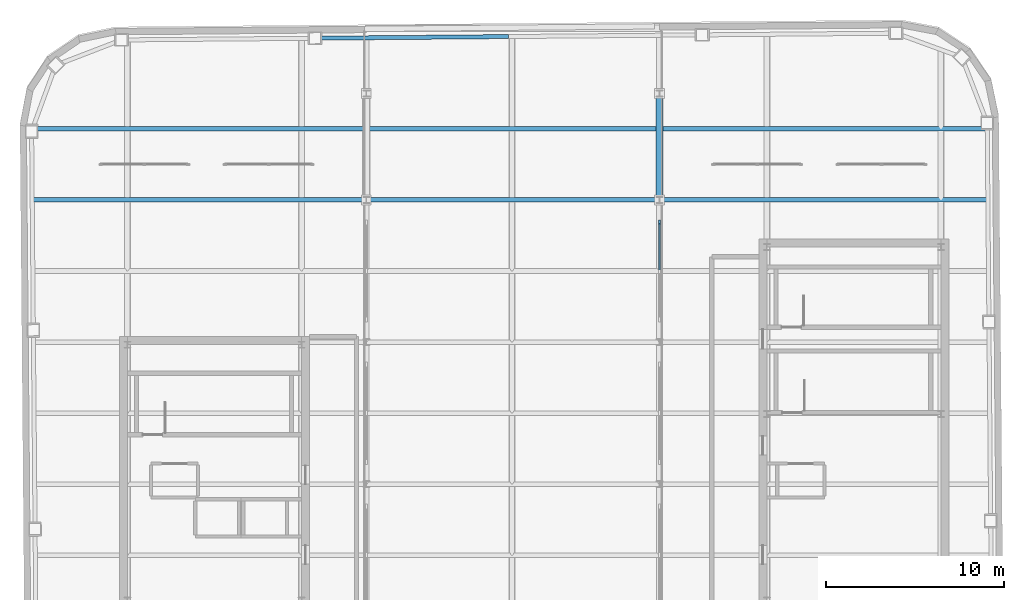
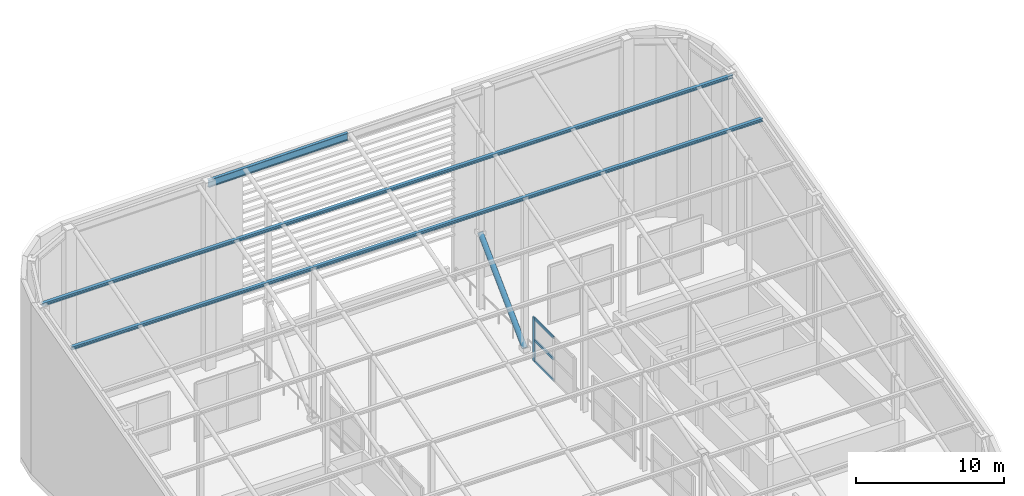
# One storey, part 12 of 17: 7 members, 1 beam, 1 element without a shape of its own.
"""IFC4 building model written with IfcOpenShell, lengths in metres."""

from ifc_helpers import new_model, si_unit, direction, frame, origin, origin_2d, place, context, subcontext, project, spatial, rectangle, hollow_circle, i_section, extrude, material, material_profile, profile_set, type_object, element, aggregate, save


model = new_model("IFC4")

# Units and contexts
model_context = context("Model", 3, precision=1e-05, world=origin(), true_north=direction((0.0, 1.0)))
body_context = subcontext(model_context, "Body", "Model", "MODEL_VIEW")
ifc_project = project(units=[si_unit("LENGTHUNIT", "METRE"), si_unit("AREAUNIT", "SQUARE_METRE"), si_unit("VOLUMEUNIT", "CUBIC_METRE"), si_unit("PLANEANGLEUNIT", "RADIAN"), si_unit("MASSUNIT", "GRAM", prefix="KILO")], contexts=[model_context])

# Site, building, storey
site_placement = place(None, origin())
site = spatial("IfcSite", under=ifc_project, at=site_placement, CompositionType="ELEMENT")
building_placement = place(site_placement, origin())
building = spatial("IfcBuilding", under=site, at=building_placement, Name="Kolvaren Arena Tower", CompositionType="ELEMENT")
storey_placement = place(building_placement, frame((0.0, 0.0, 322.0)))
storey = spatial("IfcBuildingStorey", under=building, at=storey_placement, Name="Roof Crown", CompositionType="ELEMENT", Elevation=322.0)

# Curtain wall, members
ifc_material_1 = material(Name="Anodised aluminium unitised curtain wall", Category="aluminium")
curtain_wall_type = type_object("IfcCurtainWallType", Name="CW-SYS-04", PredefinedType="USERDEFINED", material=ifc_material_1)
curtain_wall_placement = place(storey_placement, origin())
curtain_wall = element("IfcCurtainWall", 1, at=curtain_wall_placement, inside=storey, type_object=curtain_wall_type, Name="Wind-Portal Throat Acoustic Curtain Screen (Roof Crown)", ObjectType="ACOUSTIC LOUVRE SCREEN", PredefinedType="USERDEFINED")
ifc_material_2 = material(Name="Anodised aluminium 6063-T6", Category="aluminium")
ifc_material_profile_1 = material_profile(ifc_material_2, rectangle(XDim=0.1201171875, YDim=0.280029296875, at=origin_2d()), Name="ALU-120x280")
ifc_profile_set_1 = profile_set([ifc_material_profile_1], Name="Anodised aluminium 6063-T6")
member_type_1 = type_object("IfcMemberType", Name="CWM-PORT", PredefinedType="MULLION", material=ifc_profile_set_1)
member_1_placement = place(storey_placement, frame((44.5, 40.739990234375, 0.0), z_axis=(0.0, 0.0, 1.0), x_axis=(-1.0, 0.0, 0.0)))
member_1 = element("IfcMember", 2, at=member_1_placement, type_object=member_type_1, Name="CW4 mullion 3", PredefinedType="MULLION", context=body_context, shape_type="SweptSolid", body=[
    extrude(rectangle(XDim=0.1201171875, YDim=0.280029296875, at=origin_2d()), origin(), (0.0, 0.0, 1.0), 3.60009765625),
])
ifc_material_profile_2 = material_profile(ifc_material_2, rectangle(XDim=0.10009765625, YDim=0.199951171875, at=origin_2d()), Name="ALU-100x200")
ifc_profile_set_2 = profile_set([ifc_material_profile_2], Name="Anodised aluminium 6063-T6")
member_type_2 = type_object("IfcMemberType", Name="CWT-HVY", PredefinedType="USERDEFINED", material=ifc_profile_set_2)
member_2_placement = place(storey_placement, frame((44.5, 38.06005859375, 0.050048828125), z_axis=(0.0, 1.0, 0.0), x_axis=(-1.0, 0.0, 0.0)))
member_2 = element("IfcMember", 3, at=member_2_placement, type_object=member_type_2, Name="CW4 transom 2.1", ObjectType="TRANSOM", PredefinedType="USERDEFINED", context=body_context, shape_type="SweptSolid", body=[
    extrude(rectangle(XDim=0.10009765625, YDim=0.199951171875, at=origin_2d()), origin(), (0.0, 0.0, 1.0), 2.619873046875),
])
member_3_placement = place(storey_placement, frame((44.5, 38.06005859375, 1.800048828125), z_axis=(0.0, 1.0, 0.0), x_axis=(-1.0, 0.0, 0.0)))
member_3 = element("IfcMember", 4, at=member_3_placement, type_object=member_type_2, Name="CW4 transom 2.2", ObjectType="TRANSOM", PredefinedType="USERDEFINED", context=body_context, shape_type="SweptSolid", body=[
    extrude(rectangle(XDim=0.10009765625, YDim=0.199951171875, at=origin_2d()), origin(), (0.0, 0.0, 1.0), 2.619873046875),
])
member_4_placement = place(storey_placement, frame((44.5, 38.06005859375, 3.550048828125), z_axis=(0.0, 1.0, 0.0), x_axis=(-1.0, 0.0, 0.0)))
member_4 = element("IfcMember", 5, at=member_4_placement, type_object=member_type_2, Name="CW4 transom 2.3", ObjectType="TRANSOM", PredefinedType="USERDEFINED", context=body_context, shape_type="SweptSolid", body=[
    extrude(rectangle(XDim=0.10009765625, YDim=0.199951171875, at=origin_2d()), origin(), (0.0, 0.0, 1.0), 2.619873046875),
])
aggregate(curtain_wall, [member_1, member_2, member_3, member_4])

# Beam
ifc_material_3 = material(Name="Steel CSA G40.21 350W", Category="steel")
ifc_material_profile_3 = material_profile(ifc_material_3, i_section(OverallWidth=0.22802734375, OverallDepth=0.615966796875, WebThickness=0.013916015625, FlangeThickness=0.02490234375, FilletRadius=0.014892578125, at=origin_2d()), Name="W610x174")
ifc_profile_set_3 = profile_set([ifc_material_profile_3], Name="Steel CSA G40.21 350W")
beam_type = type_object("IfcBeamType", Name="GIRD-T3", PredefinedType="BEAM", material=ifc_profile_set_3)
beam_placement = place(storey_placement, frame((36.0087890625, 51.19921875, 15.157470703125), z_axis=(-0.999958642349, -0.008735415073, -0.002531030521), x_axis=(0.008735443053, -0.999961845289, 0.0)))
element("IfcBeam", 6, at=beam_placement, inside=storey, type_object=beam_type, Name="Sloped Crown Roof Perimeter Ring Beam 14", PredefinedType="BEAM", context=body_context, shape_type="SweptSolid", body=[
    extrude(i_section(OverallWidth=0.22802734375, OverallDepth=0.615966796875, WebThickness=0.013916015625, FlangeThickness=0.02490234375, FilletRadius=0.014892578125, at=origin_2d()), origin(), (0.0, 0.0, 1.0), 10.89990234375),
])

# Members
ifc_material_profile_4 = material_profile(ifc_material_3, i_section(OverallWidth=0.25390625, OverallDepth=0.2529296875, WebThickness=0.008544921875, FlangeThickness=0.01416015625, FilletRadius=0.010009765625, at=origin_2d()), Name="W250x73")
ifc_profile_set_4 = profile_set([ifc_material_profile_4], Name="Steel CSA G40.21 350W")
member_type_3 = type_object("IfcMemberType", Name="PURLIN-CR1", PredefinedType="PURLIN", material=ifc_profile_set_4)
member_5_placement = place(storey_placement, frame((9.18798828125, 42.0, 12.680908203125), z_axis=(1.0, 0.0, 0.0), x_axis=(0.0, 1.0, 0.0)))
element("IfcMember", 7, at=member_5_placement, inside=storey, type_object=member_type_3, Name="Sloped Crown Roof Purlin 09", PredefinedType="PURLIN", context=body_context, shape_type="SweptSolid", body=[
    extrude(i_section(OverallWidth=0.25390625, OverallDepth=0.2529296875, WebThickness=0.008544921875, FlangeThickness=0.01416015625, FilletRadius=0.010009765625, at=origin_2d()), origin(), (0.0, 0.0, 1.0), 53.80224609375),
])
member_6_placement = place(storey_placement, frame((9.203857421875, 46.0, 13.833740234375), z_axis=(1.0, 0.0, 0.0), x_axis=(0.0, 1.0, 0.0)))
element("IfcMember", 8, at=member_6_placement, inside=storey, type_object=member_type_3, Name="Sloped Crown Roof Purlin 10", PredefinedType="PURLIN", context=body_context, shape_type="SweptSolid", body=[
    extrude(i_section(OverallWidth=0.25390625, OverallDepth=0.2529296875, WebThickness=0.008544921875, FlangeThickness=0.01416015625, FilletRadius=0.010009765625, at=origin_2d()), origin(), (0.0, 0.0, 1.0), 53.75146484375),
])
ifc_material_4 = material(Name="Steel CSA G40.21 350WT", Category="steel")
ifc_material_profile_5 = material_profile(ifc_material_4, hollow_circle(Radius=0.202880859375, WallThickness=0.02001953125, at=origin_2d()), Name="CHS 406x20")
ifc_profile_set_5 = profile_set([ifc_material_profile_5], Name="Steel CSA G40.21 350WT")
member_type_4 = type_object("IfcMemberType", Name="WP-BRACE1", PredefinedType="BRACE", material=ifc_profile_set_5)
member_7_placement = place(storey_placement, frame((44.5, 42.0, 0.300048828125), z_axis=(0.0, 0.713029481615, 0.701134051624), x_axis=(-1.0, 0.0, 0.0)))
element("IfcMember", 9, at=member_7_placement, inside=storey, type_object=member_type_4, Name="Wind-Portal Throat Diagonal Brace (East 2)", PredefinedType="BRACE", context=body_context, shape_type="SweptSolid", body=[
    extrude(hollow_circle(Radius=0.202880859375, WallThickness=0.02001953125, at=origin_2d()), origin(), (0.0, 0.0, 1.0), 8.414794921875),
])

save(model, "model.ifc")
